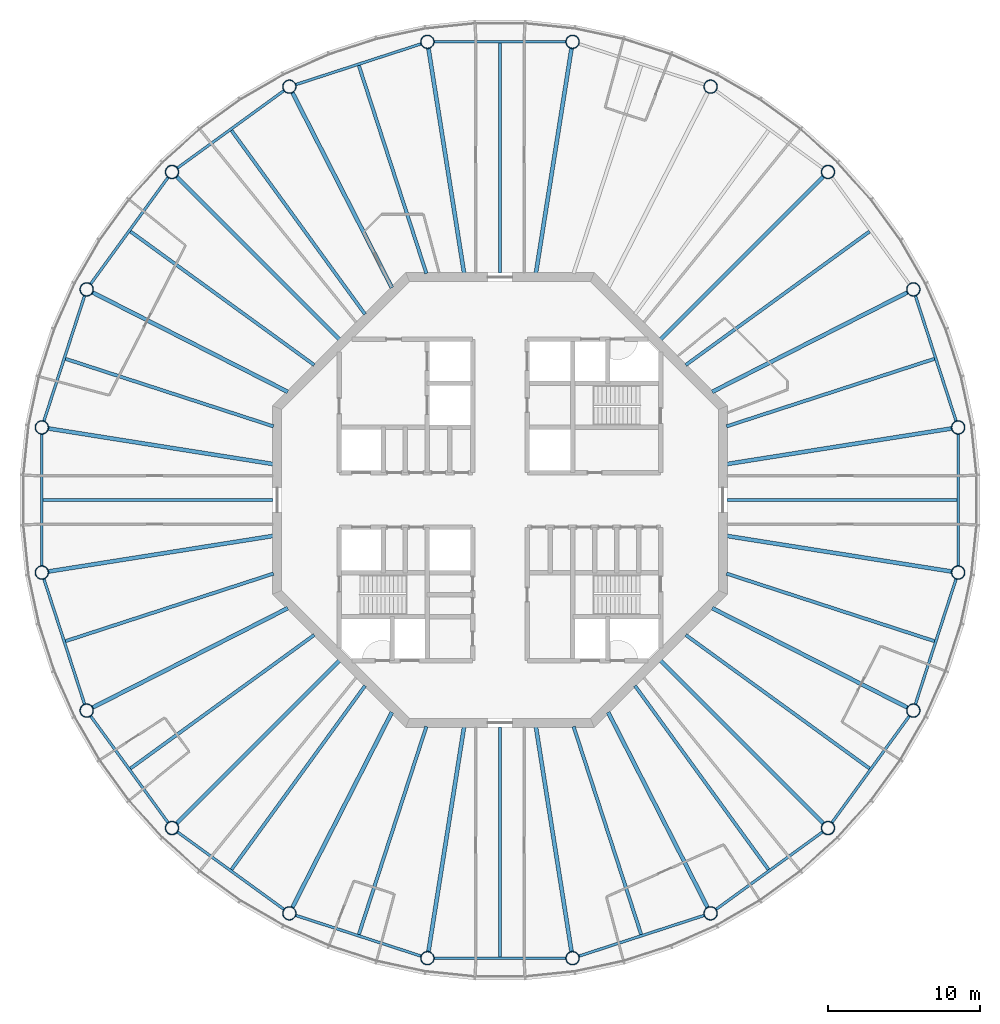
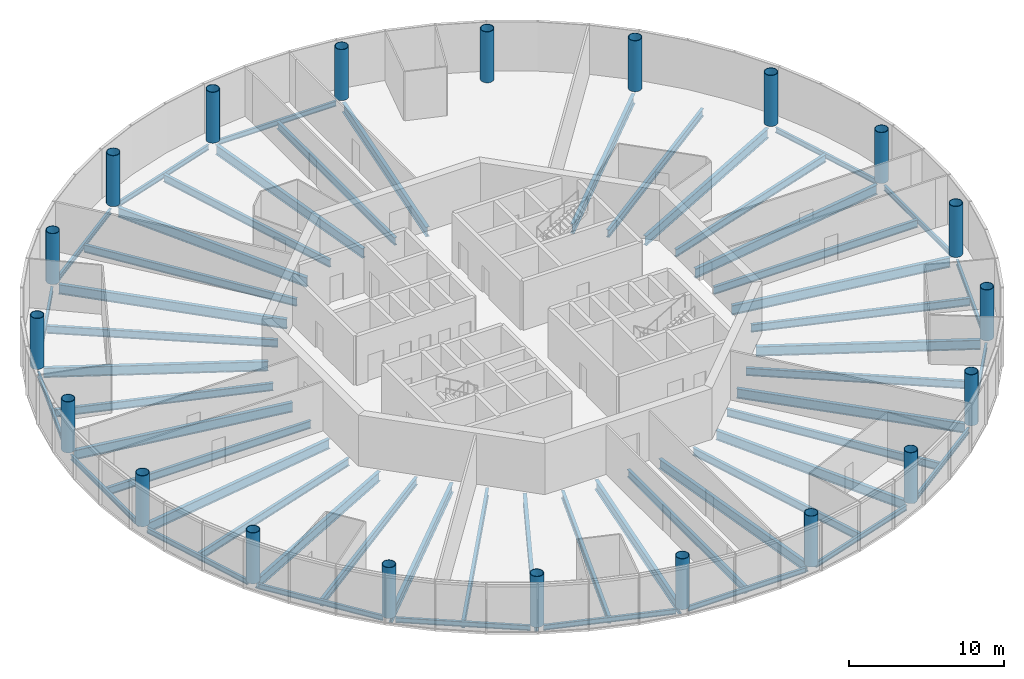
# One storey, part 1 of 13: 54 beams, 20 columns.
"""IFC4 building model written with IfcOpenShell, lengths in metres."""

from ifc_helpers import new_model, si_unit, direction, frame, origin, origin_2d, place, context, subcontext, project, spatial, circle, hollow_circle, i_section, extrude, material, material_profile, profile_set, type_object, element, save


model = new_model("IFC4")

# Units and contexts
model_context = context("Model", 3, precision=1e-05, world=origin(), true_north=direction((0.0, 1.0)))
body_context = subcontext(model_context, "Body", "Model", "MODEL_VIEW")
ifc_project = project(units=[si_unit("LENGTHUNIT", "METRE"), si_unit("AREAUNIT", "SQUARE_METRE"), si_unit("VOLUMEUNIT", "CUBIC_METRE"), si_unit("PLANEANGLEUNIT", "RADIAN"), si_unit("MASSUNIT", "GRAM", prefix="KILO")], contexts=[model_context])

# Site, building, storey
site_placement = place(None, origin())
site = spatial("IfcSite", under=ifc_project, at=site_placement, CompositionType="ELEMENT")
building_placement = place(site_placement, origin())
building = spatial("IfcBuilding", under=site, at=building_placement, Name="Entoto Ring Tower", CompositionType="ELEMENT")
storey_placement = place(building_placement, frame((0.0, 0.0, 384.0)))
storey = spatial("IfcBuildingStorey", under=building, at=storey_placement, Name="L89", CompositionType="ELEMENT", Elevation=384.0)

# Columns
ifc_material_1 = material(Name="Steel S355", Category="steel")
ifc_material_profile_1 = material_profile(ifc_material_1, hollow_circle(Radius=0.449951171875, WallThickness=0.0400390625, at=origin_2d()), Name="CHS 900 x 40")
ifc_material_2 = material(Name="Concrete C60/75", Category="concrete")
ifc_material_profile_2 = material_profile(ifc_material_2, circle(Radius=0.409912109375, at=origin_2d()), Name="Concrete C60/75 infill")
ifc_profile_set_1 = profile_set([ifc_material_profile_1, ifc_material_profile_2], Name="Steel S355")
column_type = type_object("IfcColumnType", Name="Ring column 900 x 40 concrete-filled tube", PredefinedType="COLUMN", material=ifc_profile_set_1)
for number, where, z_axis, x_axis, name in (
    (1, (120.22314453125, 84.786865234375, 0.0), (0.0, 0.0, 1.0), (1.0, 0.0, 0.0), "RC6 R01"),
    (2, (117.264892578125, 93.89208984375, 0.0), (0.0, 0.0, 1.0), (1.0, 0.0, 0.0), "RC6 R02"),
    (3, (111.637451171875, 101.637451171875, 0.0), (0.0, 0.0, 1.0), (1.0, 0.0, 0.0), "RC6 R03"),
    (4, (103.89208984375, 107.264892578125, 0.0), (0.0, 0.0, 1.0), (1.0, 0.0, 0.0), "RC6 R04"),
    (5, (94.786865234375, 110.22314453125, 0.0), (0.0, 0.0, 1.0), (1.0, 0.0, 0.0), "RC6 R05"),
    (6, (85.213134765625, 110.22314453125, 0.0), (0.0, 0.0, 1.0), (1.0, 0.0, 0.0), "RC6 R06"),
    (7, (76.10791015625, 107.264892578125, 0.0), (0.0, 0.0, 1.0), (1.0, 0.0, 0.0), "RC6 R07"),
    (8, (68.362548828125, 101.637451171875, 0.0), (0.0, 0.0, 1.0), (1.0, 0.0, 0.0), "RC6 R08"),
    (9, (62.735107421875, 93.89208984375, 0.0), (0.0, 0.0, 1.0), (1.0, 0.0, 0.0), "RC6 R09"),
    (10, (59.77685546875, 84.786865234375, 0.0), (0.0, 0.0, 1.0), (1.0, 0.0, 0.0), "RC6 R10"),
    (11, (59.77685546875, 75.213134765625, 0.0), (0.0, 0.0, 1.0), (1.0, 0.0, 0.0), "RC6 R11"),
    (12, (62.735107421875, 66.10791015625, 0.0), (0.0, 0.0, 1.0), (1.0, 0.0, 0.0), "RC6 R12"),
    (13, (68.362548828125, 58.362548828125, 0.0), (0.0, 0.0, 1.0), (1.0, 0.0, 0.0), "RC6 R13"),
    (14, (76.10791015625, 52.735107421875, 0.0), (0.0, 0.0, 1.0), (1.0, 0.0, 0.0), "RC6 R14"),
    (15, (85.213134765625, 49.77685546875, 0.0), (0.0, 0.0, 1.0), (1.0, 0.0, 0.0), "RC6 R15"),
    (16, (94.786865234375, 49.77685546875, 0.0), (0.0, 0.0, 1.0), (1.0, 0.0, 0.0), "RC6 R16"),
    (17, (103.89208984375, 52.735107421875, 0.0), (0.0, 0.0, 1.0), (1.0, 0.0, 0.0), "RC6 R17"),
    (18, (111.637451171875, 58.362548828125, 0.0), (0.0, 0.0, 1.0), (1.0, 0.0, 0.0), "RC6 R18"),
    (19, (117.264892578125, 66.10791015625, 0.0), (0.0, 0.0, 1.0), (1.0, 0.0, 0.0), "RC6 R19"),
    (20, (120.22314453125, 75.213134765625, 0.0), (0.0, 0.0, 1.0), (1.0, 0.0, 0.0), "RC6 R20"),
):
    element("IfcColumn", number, at=place(storey_placement, frame(where, z_axis=z_axis, x_axis=x_axis)), inside=storey, type_object=column_type, Name=name, PredefinedType="COLUMN", context=body_context, shape_type="SweptSolid", body=[
        extrude(hollow_circle(Radius=0.449951171875, WallThickness=0.0400390625, at=origin_2d()), origin(), (0.0, 0.0, 1.0), 4.0),
    ])

# Beams
ifc_material_3 = material(Name="Steel S355", Category="steel")
ifc_material_profile_3 = material_profile(ifc_material_3, i_section(OverallWidth=0.179931640625, OverallDepth=0.39990234375, WebThickness=0.008544921875, FlangeThickness=0.013427734375, FilletRadius=0.02099609375, at=origin_2d()), Name="IPE 400")
ifc_profile_set_2 = profile_set([ifc_material_profile_3], Name="Steel S355")
beam_type_1 = type_object("IfcBeamType", Name="Edge beam IPE 400", PredefinedType="SPANDREL", material=ifc_profile_set_2)
beam_1_placement = place(storey_placement, frame((120.09326171875, 85.187255859375, -0.35009765625), z_axis=(-0.309030438368, 0.951052147972, 0.0), x_axis=(-0.951052147972, -0.309030438368, 0.0)))
element("IfcBeam", 21, at=beam_1_placement, inside=storey, type_object=beam_type_1, Name="Edge beam L89 01", PredefinedType="SPANDREL", context=body_context, shape_type="SweptSolid", body=[
    extrude(i_section(OverallWidth=0.179931640625, OverallDepth=0.39990234375, WebThickness=0.008544921875, FlangeThickness=0.013427734375, FilletRadius=0.02099609375, at=origin_2d()), origin(), (0.0, 0.0, 1.0), 8.732177734375),
])
beam_2_placement = place(storey_placement, frame((94.365966796875, 110.22314453125, -0.35009765625), z_axis=(-1.0, 0.0, 0.0), x_axis=(0.0, -1.0, 0.0)))
element("IfcBeam", 22, at=beam_2_placement, inside=storey, type_object=beam_type_1, Name="Edge beam L89 05", PredefinedType="SPANDREL", context=body_context, shape_type="SweptSolid", body=[
    extrude(i_section(OverallWidth=0.179931640625, OverallDepth=0.39990234375, WebThickness=0.008544921875, FlangeThickness=0.013427734375, FilletRadius=0.02099609375, at=origin_2d()), origin(), (0.0, 0.0, 1.0), 8.73193359375),
])
beam_3_placement = place(storey_placement, frame((84.812744140625, 110.09326171875, -0.35009765625), z_axis=(-0.951052147972, -0.309030438368, 0.0), x_axis=(0.309030438368, -0.951052147972, 0.0)))
element("IfcBeam", 23, at=beam_3_placement, inside=storey, type_object=beam_type_1, Name="Edge beam L89 06", PredefinedType="SPANDREL", context=body_context, shape_type="SweptSolid", body=[
    extrude(i_section(OverallWidth=0.179931640625, OverallDepth=0.39990234375, WebThickness=0.008544921875, FlangeThickness=0.013427734375, FilletRadius=0.02099609375, at=origin_2d()), origin(), (0.0, 0.0, 1.0), 8.732177734375),
])
for number, where, z_axis, x_axis, name in (
    (24, (75.767333984375, 107.017333984375, -0.35009765625), (-0.80901045354, -0.587794254874, 0.0), (0.587794254874, -0.80901045354, 0.0), "Edge beam L89 07"),
    (25, (68.115234375, 101.296875, -0.35009765625), (-0.587794254874, -0.80901045354, 0.0), (0.80901045354, -0.587794254874, 0.0), "Edge beam L89 08"),
):
    element("IfcBeam", number, at=place(storey_placement, frame(where, z_axis=z_axis, x_axis=x_axis)), inside=storey, type_object=beam_type_1, Name=name, PredefinedType="SPANDREL", context=body_context, shape_type="SweptSolid", body=[
        extrude(i_section(OverallWidth=0.179931640625, OverallDepth=0.39990234375, WebThickness=0.008544921875, FlangeThickness=0.013427734375, FilletRadius=0.02099609375, at=origin_2d()), origin(), (0.0, 0.0, 1.0), 8.73193359375),
    ])
beam_4_placement = place(storey_placement, frame((62.605224609375, 93.491943359375, -0.35009765625), z_axis=(-0.309030438368, -0.951052147972, 0.0), x_axis=(0.951052147972, -0.309030438368, 0.0)))
element("IfcBeam", 26, at=beam_4_placement, inside=storey, type_object=beam_type_1, Name="Edge beam L89 09", PredefinedType="SPANDREL", context=body_context, shape_type="SweptSolid", body=[
    extrude(i_section(OverallWidth=0.179931640625, OverallDepth=0.39990234375, WebThickness=0.008544921875, FlangeThickness=0.013427734375, FilletRadius=0.02099609375, at=origin_2d()), origin(), (0.0, 0.0, 1.0), 8.732177734375),
])
beam_5_placement = place(storey_placement, frame((59.77685546875, 84.365966796875, -0.35009765625), z_axis=(0.0, -1.0, 0.0), x_axis=(1.0, 0.0, 0.0)))
element("IfcBeam", 27, at=beam_5_placement, inside=storey, type_object=beam_type_1, Name="Edge beam L89 10", PredefinedType="SPANDREL", context=body_context, shape_type="SweptSolid", body=[
    extrude(i_section(OverallWidth=0.179931640625, OverallDepth=0.39990234375, WebThickness=0.008544921875, FlangeThickness=0.013427734375, FilletRadius=0.02099609375, at=origin_2d()), origin(), (0.0, 0.0, 1.0), 8.73193359375),
])
beam_6_placement = place(storey_placement, frame((59.90673828125, 74.812744140625, -0.35009765625), z_axis=(0.309030438368, -0.951052147972, 0.0), x_axis=(0.951052147972, 0.309030438368, 0.0)))
element("IfcBeam", 28, at=beam_6_placement, inside=storey, type_object=beam_type_1, Name="Edge beam L89 11", PredefinedType="SPANDREL", context=body_context, shape_type="SweptSolid", body=[
    extrude(i_section(OverallWidth=0.179931640625, OverallDepth=0.39990234375, WebThickness=0.008544921875, FlangeThickness=0.013427734375, FilletRadius=0.02099609375, at=origin_2d()), origin(), (0.0, 0.0, 1.0), 8.732177734375),
])
for number, where, z_axis, x_axis, name in (
    (29, (62.982666015625, 65.767333984375, -0.35009765625), (0.587794254874, -0.80901045354, 0.0), (0.80901045354, 0.587794254874, 0.0), "Edge beam L89 12"),
    (30, (68.703125, 58.115234375, -0.35009765625), (0.80901045354, -0.587794254874, 0.0), (0.587794254874, 0.80901045354, 0.0), "Edge beam L89 13"),
):
    element("IfcBeam", number, at=place(storey_placement, frame(where, z_axis=z_axis, x_axis=x_axis)), inside=storey, type_object=beam_type_1, Name=name, PredefinedType="SPANDREL", context=body_context, shape_type="SweptSolid", body=[
        extrude(i_section(OverallWidth=0.179931640625, OverallDepth=0.39990234375, WebThickness=0.008544921875, FlangeThickness=0.013427734375, FilletRadius=0.02099609375, at=origin_2d()), origin(), (0.0, 0.0, 1.0), 8.73193359375),
    ])
beam_7_placement = place(storey_placement, frame((76.508056640625, 52.605224609375, -0.35009765625), z_axis=(0.951052147972, -0.309030438368, 0.0), x_axis=(0.309030438368, 0.951052147972, 0.0)))
element("IfcBeam", 31, at=beam_7_placement, inside=storey, type_object=beam_type_1, Name="Edge beam L89 14", PredefinedType="SPANDREL", context=body_context, shape_type="SweptSolid", body=[
    extrude(i_section(OverallWidth=0.179931640625, OverallDepth=0.39990234375, WebThickness=0.008544921875, FlangeThickness=0.013427734375, FilletRadius=0.02099609375, at=origin_2d()), origin(), (0.0, 0.0, 1.0), 8.732177734375),
])
beam_8_placement = place(storey_placement, frame((85.634033203125, 49.77685546875, -0.35009765625), z_axis=(1.0, 0.0, 0.0), x_axis=(0.0, 1.0, 0.0)))
element("IfcBeam", 32, at=beam_8_placement, inside=storey, type_object=beam_type_1, Name="Edge beam L89 15", PredefinedType="SPANDREL", context=body_context, shape_type="SweptSolid", body=[
    extrude(i_section(OverallWidth=0.179931640625, OverallDepth=0.39990234375, WebThickness=0.008544921875, FlangeThickness=0.013427734375, FilletRadius=0.02099609375, at=origin_2d()), origin(), (0.0, 0.0, 1.0), 8.73193359375),
])
beam_9_placement = place(storey_placement, frame((95.187255859375, 49.90673828125, -0.35009765625), z_axis=(0.951052147972, 0.309030438368, 0.0), x_axis=(-0.309030438368, 0.951052147972, 0.0)))
element("IfcBeam", 33, at=beam_9_placement, inside=storey, type_object=beam_type_1, Name="Edge beam L89 16", PredefinedType="SPANDREL", context=body_context, shape_type="SweptSolid", body=[
    extrude(i_section(OverallWidth=0.179931640625, OverallDepth=0.39990234375, WebThickness=0.008544921875, FlangeThickness=0.013427734375, FilletRadius=0.02099609375, at=origin_2d()), origin(), (0.0, 0.0, 1.0), 8.732177734375),
])
for number, where, z_axis, x_axis, name in (
    (34, (104.232666015625, 52.982666015625, -0.35009765625), (0.80901045354, 0.587794254874, 0.0), (-0.587794254874, 0.80901045354, 0.0), "Edge beam L89 17"),
    (35, (111.884765625, 58.703125, -0.35009765625), (0.587794254874, 0.80901045354, 0.0), (-0.80901045354, 0.587794254874, 0.0), "Edge beam L89 18"),
):
    element("IfcBeam", number, at=place(storey_placement, frame(where, z_axis=z_axis, x_axis=x_axis)), inside=storey, type_object=beam_type_1, Name=name, PredefinedType="SPANDREL", context=body_context, shape_type="SweptSolid", body=[
        extrude(i_section(OverallWidth=0.179931640625, OverallDepth=0.39990234375, WebThickness=0.008544921875, FlangeThickness=0.013427734375, FilletRadius=0.02099609375, at=origin_2d()), origin(), (0.0, 0.0, 1.0), 8.73193359375),
    ])
beam_10_placement = place(storey_placement, frame((117.394775390625, 66.508056640625, -0.35009765625), z_axis=(0.309030438368, 0.951052147972, 0.0), x_axis=(-0.951052147972, 0.309030438368, 0.0)))
element("IfcBeam", 36, at=beam_10_placement, inside=storey, type_object=beam_type_1, Name="Edge beam L89 19", PredefinedType="SPANDREL", context=body_context, shape_type="SweptSolid", body=[
    extrude(i_section(OverallWidth=0.179931640625, OverallDepth=0.39990234375, WebThickness=0.008544921875, FlangeThickness=0.013427734375, FilletRadius=0.02099609375, at=origin_2d()), origin(), (0.0, 0.0, 1.0), 8.732177734375),
])
beam_11_placement = place(storey_placement, frame((120.22314453125, 75.634033203125, -0.35009765625), z_axis=(0.0, 1.0, 0.0), x_axis=(-1.0, 0.0, 0.0)))
element("IfcBeam", 37, at=beam_11_placement, inside=storey, type_object=beam_type_1, Name="Edge beam L89 20", PredefinedType="SPANDREL", context=body_context, shape_type="SweptSolid", body=[
    extrude(i_section(OverallWidth=0.179931640625, OverallDepth=0.39990234375, WebThickness=0.008544921875, FlangeThickness=0.013427734375, FilletRadius=0.02099609375, at=origin_2d()), origin(), (0.0, 0.0, 1.0), 8.73193359375),
])
ifc_material_4 = material(Name="Steel S355", Category="steel")
ifc_material_profile_4 = material_profile(ifc_material_4, i_section(OverallWidth=0.262939453125, OverallDepth=0.7529296875, WebThickness=0.011474609375, FlangeThickness=0.01708984375, FilletRadius=0.01708984375, at=origin_2d()), Name="IPE 750 x 137")
ifc_profile_set_3 = profile_set([ifc_material_profile_4], Name="Steel S355")
beam_type_2 = type_object("IfcBeamType", Name="Primary floor beam IPE 750 x 137", PredefinedType="BEAM", material=ifc_profile_set_3)
beam_12_placement = place(storey_placement, frame((104.959716796875, 82.369384765625, -0.526611328125), z_axis=(0.987688638122, 0.156432586517, 0.0), x_axis=(-0.156432586517, 0.987688638122, 0.0)))
element("IfcBeam", 38, at=beam_12_placement, inside=storey, type_object=beam_type_2, Name="Primary L89 R01", PredefinedType="BEAM", context=body_context, shape_type="SweptSolid", body=[
    extrude(i_section(OverallWidth=0.262939453125, OverallDepth=0.7529296875, WebThickness=0.011474609375, FlangeThickness=0.01708984375, FilletRadius=0.01708984375, at=origin_2d()), origin(), (0.0, 0.0, 1.0), 15.04345703125),
])
beam_13_placement = place(storey_placement, frame((103.9970703125, 87.1318359375, -0.526611328125), z_axis=(0.89100578373, 0.453991952968, 0.0), x_axis=(-0.453991952968, 0.89100578373, 0.0)))
element("IfcBeam", 39, at=beam_13_placement, inside=storey, type_object=beam_type_2, Name="Primary L89 R02", PredefinedType="BEAM", context=body_context, shape_type="SweptSolid", body=[
    extrude(i_section(OverallWidth=0.262939453125, OverallDepth=0.7529296875, WebThickness=0.011474609375, FlangeThickness=0.01708984375, FilletRadius=0.01708984375, at=origin_2d()), origin(), (0.0, 0.0, 1.0), 14.48046875),
])
beam_14_placement = place(storey_placement, frame((100.592529296875, 90.592529296875, -0.526611328125), z_axis=(0.707106781187, 0.707106781187, 0.0), x_axis=(-0.707106781187, 0.707106781187, 0.0)))
element("IfcBeam", 40, at=beam_14_placement, inside=storey, type_object=beam_type_2, Name="Primary L89 R03", PredefinedType="BEAM", context=body_context, shape_type="SweptSolid", body=[
    extrude(i_section(OverallWidth=0.262939453125, OverallDepth=0.7529296875, WebThickness=0.011474609375, FlangeThickness=0.01708984375, FilletRadius=0.01708984375, at=origin_2d()), origin(), (0.0, 0.0, 1.0), 15.209716796875),
])
for number, where, z_axis, x_axis, name in (
    (41, (92.369384765625, 94.959716796875, -0.526611328125), (0.156432586517, 0.987688638122, 0.0), (-0.987688638122, 0.156432586517, 0.0), "Primary L89 R05"),
    (42, (87.630615234375, 94.959716796875, -0.526611328125), (-0.156432586517, 0.987688638122, 0.0), (-0.987688638122, -0.156432586517, 0.0), "Primary L89 R06"),
):
    element("IfcBeam", number, at=place(storey_placement, frame(where, z_axis=z_axis, x_axis=x_axis)), inside=storey, type_object=beam_type_2, Name=name, PredefinedType="BEAM", context=body_context, shape_type="SweptSolid", body=[
        extrude(i_section(OverallWidth=0.262939453125, OverallDepth=0.7529296875, WebThickness=0.011474609375, FlangeThickness=0.01708984375, FilletRadius=0.01708984375, at=origin_2d()), origin(), (0.0, 0.0, 1.0), 15.04345703125),
    ])
beam_15_placement = place(storey_placement, frame((82.8681640625, 93.9970703125, -0.526611328125), z_axis=(-0.453991952968, 0.89100578373, 0.0), x_axis=(-0.89100578373, -0.453991952968, 0.0)))
element("IfcBeam", 43, at=beam_15_placement, inside=storey, type_object=beam_type_2, Name="Primary L89 R07", PredefinedType="BEAM", context=body_context, shape_type="SweptSolid", body=[
    extrude(i_section(OverallWidth=0.262939453125, OverallDepth=0.7529296875, WebThickness=0.011474609375, FlangeThickness=0.01708984375, FilletRadius=0.01708984375, at=origin_2d()), origin(), (0.0, 0.0, 1.0), 14.48046875),
])
beam_16_placement = place(storey_placement, frame((79.407470703125, 90.592529296875, -0.526611328125), z_axis=(-0.707106781187, 0.707106781187, 0.0), x_axis=(-0.707106781187, -0.707106781187, 0.0)))
element("IfcBeam", 44, at=beam_16_placement, inside=storey, type_object=beam_type_2, Name="Primary L89 R08", PredefinedType="BEAM", context=body_context, shape_type="SweptSolid", body=[
    extrude(i_section(OverallWidth=0.262939453125, OverallDepth=0.7529296875, WebThickness=0.011474609375, FlangeThickness=0.01708984375, FilletRadius=0.01708984375, at=origin_2d()), origin(), (0.0, 0.0, 1.0), 15.209716796875),
])
beam_17_placement = place(storey_placement, frame((76.0029296875, 87.1318359375, -0.526611328125), z_axis=(-0.89100578373, 0.453991952968, 0.0), x_axis=(-0.453991952968, -0.89100578373, 0.0)))
element("IfcBeam", 45, at=beam_17_placement, inside=storey, type_object=beam_type_2, Name="Primary L89 R09", PredefinedType="BEAM", context=body_context, shape_type="SweptSolid", body=[
    extrude(i_section(OverallWidth=0.262939453125, OverallDepth=0.7529296875, WebThickness=0.011474609375, FlangeThickness=0.01708984375, FilletRadius=0.01708984375, at=origin_2d()), origin(), (0.0, 0.0, 1.0), 14.48046875),
])
for number, where, z_axis, x_axis, name in (
    (46, (75.040283203125, 82.369384765625, -0.526611328125), (-0.987688638122, 0.156432586517, 0.0), (-0.156432586517, -0.987688638122, 0.0), "Primary L89 R10"),
    (47, (75.040283203125, 77.630615234375, -0.526611328125), (-0.987688638122, -0.156432586517, 0.0), (0.156432586517, -0.987688638122, 0.0), "Primary L89 R11"),
):
    element("IfcBeam", number, at=place(storey_placement, frame(where, z_axis=z_axis, x_axis=x_axis)), inside=storey, type_object=beam_type_2, Name=name, PredefinedType="BEAM", context=body_context, shape_type="SweptSolid", body=[
        extrude(i_section(OverallWidth=0.262939453125, OverallDepth=0.7529296875, WebThickness=0.011474609375, FlangeThickness=0.01708984375, FilletRadius=0.01708984375, at=origin_2d()), origin(), (0.0, 0.0, 1.0), 15.04345703125),
    ])
beam_18_placement = place(storey_placement, frame((76.0029296875, 72.8681640625, -0.526611328125), z_axis=(-0.89100578373, -0.453991952968, 0.0), x_axis=(0.453991952968, -0.89100578373, 0.0)))
element("IfcBeam", 48, at=beam_18_placement, inside=storey, type_object=beam_type_2, Name="Primary L89 R12", PredefinedType="BEAM", context=body_context, shape_type="SweptSolid", body=[
    extrude(i_section(OverallWidth=0.262939453125, OverallDepth=0.7529296875, WebThickness=0.011474609375, FlangeThickness=0.01708984375, FilletRadius=0.01708984375, at=origin_2d()), origin(), (0.0, 0.0, 1.0), 14.48046875),
])
beam_19_placement = place(storey_placement, frame((79.407470703125, 69.407470703125, -0.526611328125), z_axis=(-0.707106781187, -0.707106781187, 0.0), x_axis=(0.707106781187, -0.707106781187, 0.0)))
element("IfcBeam", 49, at=beam_19_placement, inside=storey, type_object=beam_type_2, Name="Primary L89 R13", PredefinedType="BEAM", context=body_context, shape_type="SweptSolid", body=[
    extrude(i_section(OverallWidth=0.262939453125, OverallDepth=0.7529296875, WebThickness=0.011474609375, FlangeThickness=0.01708984375, FilletRadius=0.01708984375, at=origin_2d()), origin(), (0.0, 0.0, 1.0), 15.209716796875),
])
beam_20_placement = place(storey_placement, frame((82.8681640625, 66.0029296875, -0.526611328125), z_axis=(-0.453991952968, -0.89100578373, 0.0), x_axis=(0.89100578373, -0.453991952968, 0.0)))
element("IfcBeam", 50, at=beam_20_placement, inside=storey, type_object=beam_type_2, Name="Primary L89 R14", PredefinedType="BEAM", context=body_context, shape_type="SweptSolid", body=[
    extrude(i_section(OverallWidth=0.262939453125, OverallDepth=0.7529296875, WebThickness=0.011474609375, FlangeThickness=0.01708984375, FilletRadius=0.01708984375, at=origin_2d()), origin(), (0.0, 0.0, 1.0), 14.48046875),
])
for number, where, z_axis, x_axis, name in (
    (51, (87.630615234375, 65.040283203125, -0.526611328125), (-0.156432586517, -0.987688638122, 0.0), (0.987688638122, -0.156432586517, 0.0), "Primary L89 R15"),
    (52, (92.369384765625, 65.040283203125, -0.526611328125), (0.156432586517, -0.987688638122, 0.0), (0.987688638122, 0.156432586517, 0.0), "Primary L89 R16"),
):
    element("IfcBeam", number, at=place(storey_placement, frame(where, z_axis=z_axis, x_axis=x_axis)), inside=storey, type_object=beam_type_2, Name=name, PredefinedType="BEAM", context=body_context, shape_type="SweptSolid", body=[
        extrude(i_section(OverallWidth=0.262939453125, OverallDepth=0.7529296875, WebThickness=0.011474609375, FlangeThickness=0.01708984375, FilletRadius=0.01708984375, at=origin_2d()), origin(), (0.0, 0.0, 1.0), 15.04345703125),
    ])
beam_21_placement = place(storey_placement, frame((97.1318359375, 66.0029296875, -0.526611328125), z_axis=(0.453991952968, -0.89100578373, 0.0), x_axis=(0.89100578373, 0.453991952968, 0.0)))
element("IfcBeam", 53, at=beam_21_placement, inside=storey, type_object=beam_type_2, Name="Primary L89 R17", PredefinedType="BEAM", context=body_context, shape_type="SweptSolid", body=[
    extrude(i_section(OverallWidth=0.262939453125, OverallDepth=0.7529296875, WebThickness=0.011474609375, FlangeThickness=0.01708984375, FilletRadius=0.01708984375, at=origin_2d()), origin(), (0.0, 0.0, 1.0), 14.48046875),
])
beam_22_placement = place(storey_placement, frame((100.592529296875, 69.407470703125, -0.526611328125), z_axis=(0.707106781187, -0.707106781187, 0.0), x_axis=(0.707106781187, 0.707106781187, 0.0)))
element("IfcBeam", 54, at=beam_22_placement, inside=storey, type_object=beam_type_2, Name="Primary L89 R18", PredefinedType="BEAM", context=body_context, shape_type="SweptSolid", body=[
    extrude(i_section(OverallWidth=0.262939453125, OverallDepth=0.7529296875, WebThickness=0.011474609375, FlangeThickness=0.01708984375, FilletRadius=0.01708984375, at=origin_2d()), origin(), (0.0, 0.0, 1.0), 15.209716796875),
])
beam_23_placement = place(storey_placement, frame((103.9970703125, 72.8681640625, -0.526611328125), z_axis=(0.89100578373, -0.453991952968, 0.0), x_axis=(0.453991952968, 0.89100578373, 0.0)))
element("IfcBeam", 55, at=beam_23_placement, inside=storey, type_object=beam_type_2, Name="Primary L89 R19", PredefinedType="BEAM", context=body_context, shape_type="SweptSolid", body=[
    extrude(i_section(OverallWidth=0.262939453125, OverallDepth=0.7529296875, WebThickness=0.011474609375, FlangeThickness=0.01708984375, FilletRadius=0.01708984375, at=origin_2d()), origin(), (0.0, 0.0, 1.0), 14.48046875),
])
beam_24_placement = place(storey_placement, frame((104.959716796875, 77.630615234375, -0.526611328125), z_axis=(0.987688638122, -0.156432586517, 0.0), x_axis=(0.156432586517, 0.987688638122, 0.0)))
element("IfcBeam", 56, at=beam_24_placement, inside=storey, type_object=beam_type_2, Name="Primary L89 R20", PredefinedType="BEAM", context=body_context, shape_type="SweptSolid", body=[
    extrude(i_section(OverallWidth=0.262939453125, OverallDepth=0.7529296875, WebThickness=0.011474609375, FlangeThickness=0.01708984375, FilletRadius=0.01708984375, at=origin_2d()), origin(), (0.0, 0.0, 1.0), 15.04345703125),
])
ifc_material_5 = material(Name="Steel S355", Category="steel")
ifc_material_profile_5 = material_profile(ifc_material_5, i_section(OverallWidth=0.219970703125, OverallDepth=0.60009765625, WebThickness=0.011962890625, FlangeThickness=0.01904296875, FilletRadius=0.02392578125, at=origin_2d()), Name="IPE 600")
ifc_profile_set_4 = profile_set([ifc_material_profile_5], Name="Steel S355")
beam_type_3 = type_object("IfcBeamType", Name="Secondary floor beam IPE 600", PredefinedType="JOIST", material=ifc_profile_set_4)
beam_25_placement = place(storey_placement, frame((104.947021484375, 84.856689453125, -0.449951171875), z_axis=(0.951057212949, 0.309014850288, 0.0), x_axis=(-0.309014850288, 0.951057212949, 0.0)))
element("IfcBeam", 57, at=beam_25_placement, inside=storey, type_object=beam_type_3, Name="Secondary beam L89 01", PredefinedType="JOIST", context=body_context, shape_type="SweptSolid", body=[
    extrude(i_section(OverallWidth=0.219970703125, OverallDepth=0.60009765625, WebThickness=0.011962890625, FlangeThickness=0.01904296875, FilletRadius=0.02392578125, at=origin_2d()), origin(), (0.0, 0.0, 1.0), 14.4169921875),
])
beam_26_placement = place(storey_placement, frame((102.25634765625, 88.90478515625, -0.449951171875), z_axis=(0.809019238239, 0.587782163866, 0.0), x_axis=(-0.587782163866, 0.809019238239, 0.0)))
element("IfcBeam", 58, at=beam_26_placement, inside=storey, type_object=beam_type_3, Name="Secondary beam L89 02", PredefinedType="JOIST", context=body_context, shape_type="SweptSolid", body=[
    extrude(i_section(OverallWidth=0.219970703125, OverallDepth=0.60009765625, WebThickness=0.011962890625, FlangeThickness=0.01904296875, FilletRadius=0.02392578125, at=origin_2d()), origin(), (0.0, 0.0, 1.0), 14.983642578125),
])
beam_27_placement = place(storey_placement, frame((90.0, 94.97998046875, -0.449951171875), z_axis=(0.0, 1.0, 0.0), x_axis=(-1.0, 0.0, 0.0)))
element("IfcBeam", 59, at=beam_27_placement, inside=storey, type_object=beam_type_3, Name="Secondary beam L89 05", PredefinedType="JOIST", context=body_context, shape_type="SweptSolid", body=[
    extrude(i_section(OverallWidth=0.219970703125, OverallDepth=0.60009765625, WebThickness=0.011962890625, FlangeThickness=0.01904296875, FilletRadius=0.02392578125, at=origin_2d()), origin(), (0.0, 0.0, 1.0), 15.1533203125),
])
beam_28_placement = place(storey_placement, frame((85.143310546875, 94.947021484375, -0.449951171875), z_axis=(-0.309014850288, 0.951057212949, 0.0), x_axis=(-0.951057212949, -0.309014850288, 0.0)))
element("IfcBeam", 60, at=beam_28_placement, inside=storey, type_object=beam_type_3, Name="Secondary beam L89 06", PredefinedType="JOIST", context=body_context, shape_type="SweptSolid", body=[
    extrude(i_section(OverallWidth=0.219970703125, OverallDepth=0.60009765625, WebThickness=0.011962890625, FlangeThickness=0.01904296875, FilletRadius=0.02392578125, at=origin_2d()), origin(), (0.0, 0.0, 1.0), 14.4169921875),
])
for number, where, z_axis, x_axis, name in (
    (61, (81.09521484375, 92.25634765625, -0.449951171875), (-0.587782163866, 0.809019238239, 0.0), (-0.809019238239, -0.587782163866, 0.0), "Secondary beam L89 07"),
    (62, (77.74365234375, 88.90478515625, -0.449951171875), (-0.809019238239, 0.587782163866, 0.0), (-0.587782163866, -0.809019238239, 0.0), "Secondary beam L89 08"),
):
    element("IfcBeam", number, at=place(storey_placement, frame(where, z_axis=z_axis, x_axis=x_axis)), inside=storey, type_object=beam_type_3, Name=name, PredefinedType="JOIST", context=body_context, shape_type="SweptSolid", body=[
        extrude(i_section(OverallWidth=0.219970703125, OverallDepth=0.60009765625, WebThickness=0.011962890625, FlangeThickness=0.01904296875, FilletRadius=0.02392578125, at=origin_2d()), origin(), (0.0, 0.0, 1.0), 14.983642578125),
    ])
beam_29_placement = place(storey_placement, frame((75.052978515625, 84.856689453125, -0.449951171875), z_axis=(-0.951057212949, 0.309014850288, 0.0), x_axis=(-0.309014850288, -0.951057212949, 0.0)))
element("IfcBeam", 63, at=beam_29_placement, inside=storey, type_object=beam_type_3, Name="Secondary beam L89 09", PredefinedType="JOIST", context=body_context, shape_type="SweptSolid", body=[
    extrude(i_section(OverallWidth=0.219970703125, OverallDepth=0.60009765625, WebThickness=0.011962890625, FlangeThickness=0.01904296875, FilletRadius=0.02392578125, at=origin_2d()), origin(), (0.0, 0.0, 1.0), 14.4169921875),
])
beam_30_placement = place(storey_placement, frame((75.02001953125, 80.0, -0.449951171875), z_axis=(-1.0, 0.0, 0.0), x_axis=(0.0, -1.0, 0.0)))
element("IfcBeam", 64, at=beam_30_placement, inside=storey, type_object=beam_type_3, Name="Secondary beam L89 10", PredefinedType="JOIST", context=body_context, shape_type="SweptSolid", body=[
    extrude(i_section(OverallWidth=0.219970703125, OverallDepth=0.60009765625, WebThickness=0.011962890625, FlangeThickness=0.01904296875, FilletRadius=0.02392578125, at=origin_2d()), origin(), (0.0, 0.0, 1.0), 15.1533203125),
])
beam_31_placement = place(storey_placement, frame((75.052978515625, 75.143310546875, -0.449951171875), z_axis=(-0.951057212949, -0.309014850288, 0.0), x_axis=(0.309014850288, -0.951057212949, 0.0)))
element("IfcBeam", 65, at=beam_31_placement, inside=storey, type_object=beam_type_3, Name="Secondary beam L89 11", PredefinedType="JOIST", context=body_context, shape_type="SweptSolid", body=[
    extrude(i_section(OverallWidth=0.219970703125, OverallDepth=0.60009765625, WebThickness=0.011962890625, FlangeThickness=0.01904296875, FilletRadius=0.02392578125, at=origin_2d()), origin(), (0.0, 0.0, 1.0), 14.4169921875),
])
for number, where, z_axis, x_axis, name in (
    (66, (77.74365234375, 71.09521484375, -0.449951171875), (-0.809019238239, -0.587782163866, 0.0), (0.587782163866, -0.809019238239, 0.0), "Secondary beam L89 12"),
    (67, (81.09521484375, 67.74365234375, -0.449951171875), (-0.587782163866, -0.809019238239, 0.0), (0.809019238239, -0.587782163866, 0.0), "Secondary beam L89 13"),
):
    element("IfcBeam", number, at=place(storey_placement, frame(where, z_axis=z_axis, x_axis=x_axis)), inside=storey, type_object=beam_type_3, Name=name, PredefinedType="JOIST", context=body_context, shape_type="SweptSolid", body=[
        extrude(i_section(OverallWidth=0.219970703125, OverallDepth=0.60009765625, WebThickness=0.011962890625, FlangeThickness=0.01904296875, FilletRadius=0.02392578125, at=origin_2d()), origin(), (0.0, 0.0, 1.0), 14.983642578125),
    ])
beam_32_placement = place(storey_placement, frame((85.143310546875, 65.052978515625, -0.449951171875), z_axis=(-0.309014850288, -0.951057212949, 0.0), x_axis=(0.951057212949, -0.309014850288, 0.0)))
element("IfcBeam", 68, at=beam_32_placement, inside=storey, type_object=beam_type_3, Name="Secondary beam L89 14", PredefinedType="JOIST", context=body_context, shape_type="SweptSolid", body=[
    extrude(i_section(OverallWidth=0.219970703125, OverallDepth=0.60009765625, WebThickness=0.011962890625, FlangeThickness=0.01904296875, FilletRadius=0.02392578125, at=origin_2d()), origin(), (0.0, 0.0, 1.0), 14.4169921875),
])
beam_33_placement = place(storey_placement, frame((90.0, 65.02001953125, -0.449951171875), z_axis=(0.0, -1.0, 0.0), x_axis=(1.0, 0.0, 0.0)))
element("IfcBeam", 69, at=beam_33_placement, inside=storey, type_object=beam_type_3, Name="Secondary beam L89 15", PredefinedType="JOIST", context=body_context, shape_type="SweptSolid", body=[
    extrude(i_section(OverallWidth=0.219970703125, OverallDepth=0.60009765625, WebThickness=0.011962890625, FlangeThickness=0.01904296875, FilletRadius=0.02392578125, at=origin_2d()), origin(), (0.0, 0.0, 1.0), 15.1533203125),
])
beam_34_placement = place(storey_placement, frame((94.856689453125, 65.052978515625, -0.449951171875), z_axis=(0.309014850288, -0.951057212949, 0.0), x_axis=(0.951057212949, 0.309014850288, 0.0)))
element("IfcBeam", 70, at=beam_34_placement, inside=storey, type_object=beam_type_3, Name="Secondary beam L89 16", PredefinedType="JOIST", context=body_context, shape_type="SweptSolid", body=[
    extrude(i_section(OverallWidth=0.219970703125, OverallDepth=0.60009765625, WebThickness=0.011962890625, FlangeThickness=0.01904296875, FilletRadius=0.02392578125, at=origin_2d()), origin(), (0.0, 0.0, 1.0), 14.4169921875),
])
for number, where, z_axis, x_axis, name in (
    (71, (98.90478515625, 67.74365234375, -0.449951171875), (0.587782163866, -0.809019238239, 0.0), (0.809019238239, 0.587782163866, 0.0), "Secondary beam L89 17"),
    (72, (102.25634765625, 71.09521484375, -0.449951171875), (0.809019238239, -0.587782163866, 0.0), (0.587782163866, 0.809019238239, 0.0), "Secondary beam L89 18"),
):
    element("IfcBeam", number, at=place(storey_placement, frame(where, z_axis=z_axis, x_axis=x_axis)), inside=storey, type_object=beam_type_3, Name=name, PredefinedType="JOIST", context=body_context, shape_type="SweptSolid", body=[
        extrude(i_section(OverallWidth=0.219970703125, OverallDepth=0.60009765625, WebThickness=0.011962890625, FlangeThickness=0.01904296875, FilletRadius=0.02392578125, at=origin_2d()), origin(), (0.0, 0.0, 1.0), 14.983642578125),
    ])
beam_35_placement = place(storey_placement, frame((104.947021484375, 75.143310546875, -0.449951171875), z_axis=(0.951057212949, -0.309014850288, 0.0), x_axis=(0.309014850288, 0.951057212949, 0.0)))
element("IfcBeam", 73, at=beam_35_placement, inside=storey, type_object=beam_type_3, Name="Secondary beam L89 19", PredefinedType="JOIST", context=body_context, shape_type="SweptSolid", body=[
    extrude(i_section(OverallWidth=0.219970703125, OverallDepth=0.60009765625, WebThickness=0.011962890625, FlangeThickness=0.01904296875, FilletRadius=0.02392578125, at=origin_2d()), origin(), (0.0, 0.0, 1.0), 14.4169921875),
])
beam_36_placement = place(storey_placement, frame((104.97998046875, 80.0, -0.449951171875), z_axis=(1.0, 0.0, 0.0), x_axis=(0.0, 1.0, 0.0)))
element("IfcBeam", 74, at=beam_36_placement, inside=storey, type_object=beam_type_3, Name="Secondary beam L89 20", PredefinedType="JOIST", context=body_context, shape_type="SweptSolid", body=[
    extrude(i_section(OverallWidth=0.219970703125, OverallDepth=0.60009765625, WebThickness=0.011962890625, FlangeThickness=0.01904296875, FilletRadius=0.02392578125, at=origin_2d()), origin(), (0.0, 0.0, 1.0), 15.1533203125),
])

save(model, "model.ifc")
